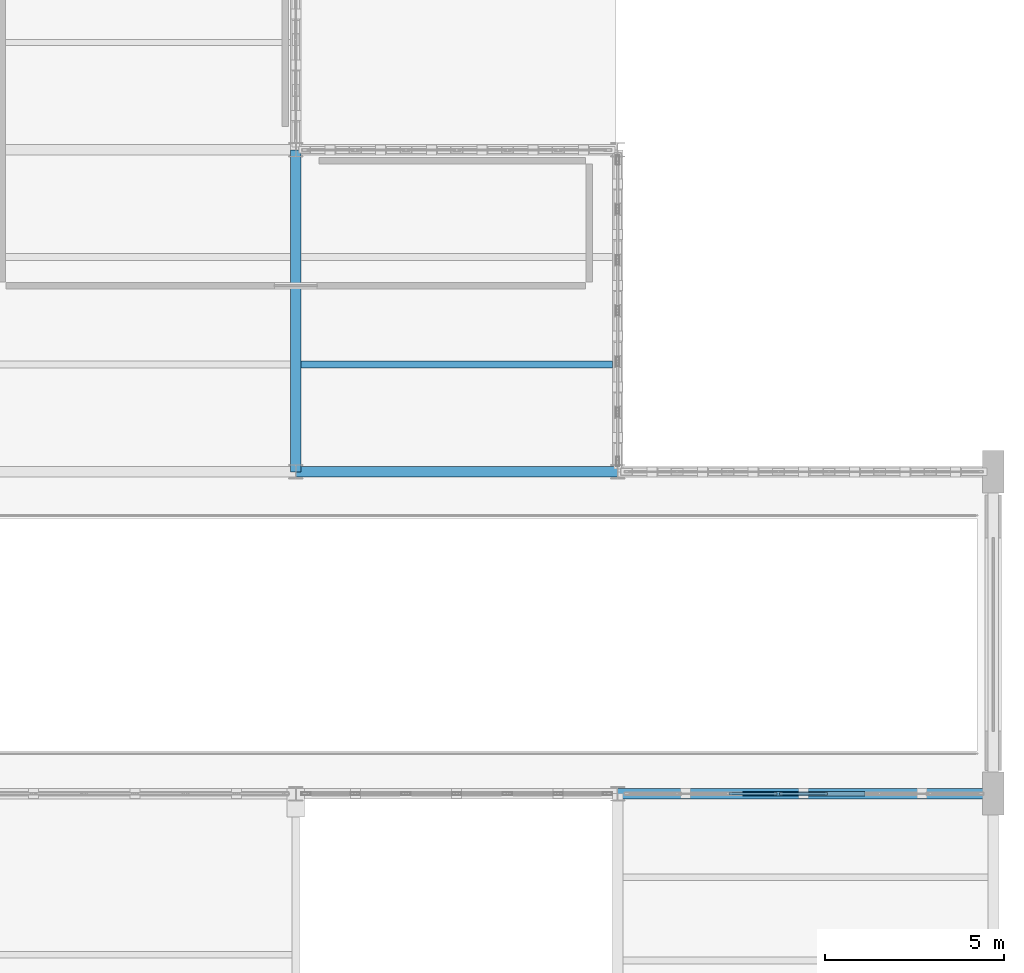
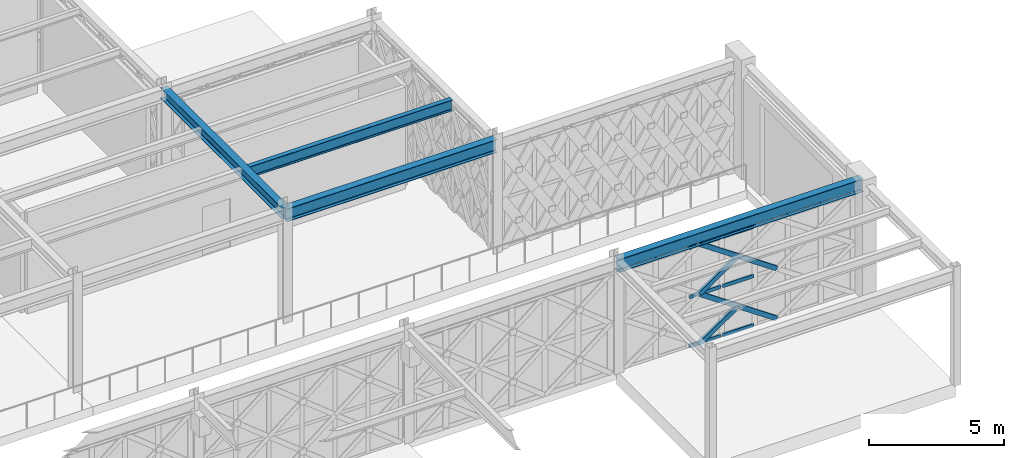
# One storey, part 92 of 140: 10 members, 4 beams, 1 element without a shape of its own.
"""IFC4 building model written with IfcOpenShell, lengths in metres."""

from ifc_helpers import new_model, si_unit, direction, frame, origin, origin_2d, place, context, subcontext, project, spatial, hollow_rectangle, i_section, extrude, material, material_profile, profile_set, type_object, element, aggregate, save


model = new_model("IFC4")

# Units and contexts
model_context = context("Model", 3, precision=1e-05, world=origin(), true_north=direction((0.0, 1.0)))
body_context = subcontext(model_context, "Body", "Model", "MODEL_VIEW")
ifc_project = project(units=[si_unit("LENGTHUNIT", "METRE"), si_unit("AREAUNIT", "SQUARE_METRE"), si_unit("VOLUMEUNIT", "CUBIC_METRE"), si_unit("PLANEANGLEUNIT", "RADIAN"), si_unit("MASSUNIT", "GRAM", prefix="KILO")], contexts=[model_context])

# Site, building, storey
site_placement = place(None, origin())
site = spatial("IfcSite", under=ifc_project, at=site_placement, CompositionType="ELEMENT")
building_placement = place(site_placement, origin())
building = spatial("IfcBuilding", under=site, at=building_placement, Name="Haizhuo Lancet Aquarium", CompositionType="ELEMENT")
storey_placement = place(building_placement, origin())
storey = spatial("IfcBuildingStorey", under=building, at=storey_placement, Name="L00", CompositionType="ELEMENT", Elevation=0.0)

# Beams
ifc_material_1 = material(Name="Steel S355", Category="steel")
ifc_material_profile_1 = material_profile(ifc_material_1, i_section(OverallWidth=0.300048828125, OverallDepth=0.488037109375, WebThickness=0.010986328125, FlangeThickness=0.01806640625, FilletRadius=0.02392578125, at=origin_2d()), Name="HM 488x300x11x18")
ifc_profile_set_1 = profile_set([ifc_material_profile_1], Name="Steel S355")
beam_type_1 = type_object("IfcBeamType", Name="BM-ST-HM488", PredefinedType="BEAM", material=ifc_profile_set_1)
beam_1_placement = place(storey_placement, frame((63.0, 18.0, 4.8759765625), z_axis=(0.0, 1.0, 0.0), x_axis=(-1.0, 0.0, 0.0)))
element("IfcBeam", 1, at=beam_1_placement, inside=storey, type_object=beam_type_1, Name="L00 V7 primary girder BM-L00-V7-019", PredefinedType="BEAM", context=body_context, shape_type="SweptSolid", body=[
    extrude(i_section(OverallWidth=0.300048828125, OverallDepth=0.488037109375, WebThickness=0.010986328125, FlangeThickness=0.01806640625, FilletRadius=0.02392578125, at=origin_2d()), origin(), (0.0, 0.0, 1.0), 9.0),
])
ifc_material_profile_2 = material_profile(ifc_material_1, i_section(OverallWidth=0.300048828125, OverallDepth=0.587890625, WebThickness=0.011962890625, FlangeThickness=0.02001953125, FilletRadius=0.02587890625, at=origin_2d()), Name="HM 588x300x12x20")
ifc_profile_set_2 = profile_set([ifc_material_profile_2], Name="Steel S355")
beam_type_2 = type_object("IfcBeamType", Name="BM-ST-HM588", PredefinedType="BEAM", material=ifc_profile_set_2)
beam_2_placement = place(storey_placement, frame((63.0, 18.0, 4.825927734375), z_axis=(1.0, 0.0, 0.0), x_axis=(0.0, 1.0, 0.0)))
element("IfcBeam", 2, at=beam_2_placement, inside=storey, type_object=beam_type_2, Name="L00 V7 primary girder BM-L00-V7-020", PredefinedType="BEAM", context=body_context, shape_type="SweptSolid", body=[
    extrude(i_section(OverallWidth=0.300048828125, OverallDepth=0.587890625, WebThickness=0.011962890625, FlangeThickness=0.02001953125, FilletRadius=0.02587890625, at=origin_2d()), origin(), (0.0, 0.0, 1.0), 9.0),
])
beam_3_placement = place(storey_placement, frame((72.0, 9.0, 4.825927734375), z_axis=(1.0, 0.0, 0.0), x_axis=(0.0, 1.0, 0.0)))
element("IfcBeam", 3, at=beam_3_placement, inside=storey, type_object=beam_type_2, Name="L00 V7 primary girder BM-L00-V7-025", PredefinedType="BEAM", context=body_context, shape_type="SweptSolid", body=[
    extrude(i_section(OverallWidth=0.300048828125, OverallDepth=0.587890625, WebThickness=0.011962890625, FlangeThickness=0.02001953125, FilletRadius=0.02587890625, at=origin_2d()), origin(), (0.0, 0.0, 1.0), 10.5),
])

# Curtain wall, members
ifc_material_2 = material(Name="Aluminium 6063-T6", Category="aluminium")
curtain_wall_type = type_object("IfcCurtainWallType", Name="CWO-9910x4530", PredefinedType="NOTDEFINED", material=ifc_material_2)
curtain_wall_placement = place(storey_placement, origin())
curtain_wall = element("IfcCurtainWall", 4, at=curtain_wall_placement, inside=storey, type_object=curtain_wall_type, Name="L00 curtain wall CW-V7-L00-278", PredefinedType="NOTDEFINED")
ifc_material_profile_3 = material_profile(ifc_material_2, hollow_rectangle(XDim=0.074951171875, YDim=0.159912109375, WallThickness=0.00390625, at=origin_2d()), Name="ALU-T 75x160x4")
ifc_profile_set_3 = profile_set([ifc_material_profile_3], Name="Aluminium 6063-T6")
member_type_1 = type_object("IfcMemberType", Name="CW-TRN-2", PredefinedType="NOTDEFINED", material=ifc_profile_set_3)
member_1_placement = place(storey_placement, frame((77.8701171875, 9.0, 0.037109375), z_axis=(-1.0, 0.0, 0.0), x_axis=(0.0, -1.0, 0.0)))
member_1 = element("IfcMember", 5, at=member_1_placement, type_object=member_type_1, Name="CWO-99x45 transom 4.1", ObjectType="TRANSOM", PredefinedType="USERDEFINED", context=body_context, shape_type="SweptSolid", body=[
    extrude(hollow_rectangle(XDim=0.074951171875, YDim=0.159912109375, WallThickness=0.00390625, at=origin_2d()), origin(), (0.0, 0.0, 1.0), 1.340087890625),
])
member_2_placement = place(storey_placement, frame((77.8701171875, 9.0, 2.26611328125), z_axis=(-1.0, 0.0, 0.0), x_axis=(0.0, -1.0, 0.0)))
member_2 = element("IfcMember", 6, at=member_2_placement, type_object=member_type_1, Name="CWO-99x45 transom 4.2", ObjectType="TRANSOM", PredefinedType="USERDEFINED", context=body_context, shape_type="SweptSolid", body=[
    extrude(hollow_rectangle(XDim=0.074951171875, YDim=0.159912109375, WallThickness=0.00390625, at=origin_2d()), origin(), (0.0, 0.0, 1.0), 1.340087890625),
])
member_3_placement = place(storey_placement, frame((77.8701171875, 9.0, 4.4951171875), z_axis=(-1.0, 0.0, 0.0), x_axis=(0.0, -1.0, 0.0)))
member_3 = element("IfcMember", 7, at=member_3_placement, type_object=member_type_1, Name="CWO-99x45 transom 4.3", ObjectType="TRANSOM", PredefinedType="USERDEFINED", context=body_context, shape_type="SweptSolid", body=[
    extrude(hollow_rectangle(XDim=0.074951171875, YDim=0.159912109375, WallThickness=0.00390625, at=origin_2d()), origin(), (0.0, 0.0, 1.0), 1.340087890625),
])
member_4_placement = place(storey_placement, frame((76.455078125, 9.0, 0.037109375), z_axis=(-1.0, 0.0, 0.0), x_axis=(0.0, -1.0, 0.0)))
member_4 = element("IfcMember", 8, at=member_4_placement, type_object=member_type_1, Name="CWO-99x45 transom 5.1", ObjectType="TRANSOM", PredefinedType="USERDEFINED", context=body_context, shape_type="SweptSolid", body=[
    extrude(hollow_rectangle(XDim=0.074951171875, YDim=0.159912109375, WallThickness=0.00390625, at=origin_2d()), origin(), (0.0, 0.0, 1.0), 1.341064453125),
])
member_5_placement = place(storey_placement, frame((76.455078125, 9.0, 2.26611328125), z_axis=(-1.0, 0.0, 0.0), x_axis=(0.0, -1.0, 0.0)))
member_5 = element("IfcMember", 9, at=member_5_placement, type_object=member_type_1, Name="CWO-99x45 transom 5.2", ObjectType="TRANSOM", PredefinedType="USERDEFINED", context=body_context, shape_type="SweptSolid", body=[
    extrude(hollow_rectangle(XDim=0.074951171875, YDim=0.159912109375, WallThickness=0.00390625, at=origin_2d()), origin(), (0.0, 0.0, 1.0), 1.341064453125),
])
member_6_placement = place(storey_placement, frame((76.455078125, 9.0, 4.4951171875), z_axis=(-1.0, 0.0, 0.0), x_axis=(0.0, -1.0, 0.0)))
member_6 = element("IfcMember", 10, at=member_6_placement, type_object=member_type_1, Name="CWO-99x45 transom 5.3", ObjectType="TRANSOM", PredefinedType="USERDEFINED", context=body_context, shape_type="SweptSolid", body=[
    extrude(hollow_rectangle(XDim=0.074951171875, YDim=0.159912109375, WallThickness=0.00390625, at=origin_2d()), origin(), (0.0, 0.0, 1.0), 1.341064453125),
])
aggregate(curtain_wall, [member_1, member_2, member_3, member_4, member_5, member_6])

# Beam
ifc_material_profile_4 = material_profile(ifc_material_1, i_section(OverallWidth=0.199951171875, OverallDepth=0.5, WebThickness=0.010009765625, FlangeThickness=0.01611328125, FilletRadius=0.02001953125, at=origin_2d()), Name="HN 500x200x10x16")
ifc_profile_set_4 = profile_set([ifc_material_profile_4], Name="Steel S355")
beam_type_3 = type_object("IfcBeamType", Name="JST-ST-HN500", PredefinedType="JOIST", material=ifc_profile_set_4)
beam_4_placement = place(storey_placement, frame((63.14990234375, 21.0, 4.8701171875), z_axis=(1.0, 0.0, 0.0), x_axis=(0.0, 1.0, 0.0)))
element("IfcBeam", 11, at=beam_4_placement, inside=storey, type_object=beam_type_3, Name="L00 V7 secondary floor joist 9", PredefinedType="JOIST", context=body_context, shape_type="SweptSolid", body=[
    extrude(i_section(OverallWidth=0.199951171875, OverallDepth=0.5, WebThickness=0.010009765625, FlangeThickness=0.01611328125, FilletRadius=0.02001953125, at=origin_2d()), origin(), (0.0, 0.0, 1.0), 8.7001953125),
])

# Members
ifc_material_profile_5 = material_profile(ifc_material_1, hollow_rectangle(XDim=0.1201171875, YDim=0.199951171875, WallThickness=0.008056640625, at=origin_2d()), Name="RHS 120x200x8")
ifc_profile_set_5 = profile_set([ifc_material_profile_5], Name="Steel S355")
member_type_2 = type_object("IfcMemberType", Name="MEM-LB-RHS120x200", PredefinedType="BRACE", material=ifc_profile_set_5)
member_7_placement = place(storey_placement, frame((78.85205078125, 9.0, 0.0), z_axis=(-0.824665506991, 0.0, 0.565620722374), x_axis=(0.0, -1.0, 0.0)))
element("IfcMember", 12, at=member_7_placement, inside=storey, type_object=member_type_2, Name="Gothic lancet continuous diagonal brace CW-V7-L00-278 3A", PredefinedType="BRACE", context=body_context, shape_type="SweptSolid", body=[
    extrude(hollow_rectangle(XDim=0.1201171875, YDim=0.199951171875, WallThickness=0.008056640625, at=origin_2d()), origin(), (0.0, 0.0, 1.0), 4.00634765625),
])
member_8_placement = place(storey_placement, frame((75.548095703125, 9.0, 0.0), z_axis=(0.824646010022, 0.0, 0.565649147578), x_axis=(0.0, 1.0, 0.0)))
element("IfcMember", 13, at=member_8_placement, inside=storey, type_object=member_type_2, Name="Gothic lancet split diagonal brace CW-V7-L00-278 3B1", PredefinedType="BRACE", context=body_context, shape_type="SweptSolid", body=[
    extrude(hollow_rectangle(XDim=0.1201171875, YDim=0.199951171875, WallThickness=0.008056640625, at=origin_2d()), origin(), (0.0, 0.0, 1.0), 2.003173828125),
])
member_9_placement = place(storey_placement, frame((78.85205078125, 9.0, 2.26611328125), z_axis=(-0.82469393104, 0.0, 0.565579278356), x_axis=(0.0, -1.0, 0.0)))
element("IfcMember", 14, at=member_9_placement, inside=storey, type_object=member_type_2, Name="Gothic lancet continuous diagonal brace CW-V7-L00-278 4A", PredefinedType="BRACE", context=body_context, shape_type="SweptSolid", body=[
    extrude(hollow_rectangle(XDim=0.1201171875, YDim=0.199951171875, WallThickness=0.008056640625, at=origin_2d()), origin(), (0.0, 0.0, 1.0), 4.00634765625),
])
member_10_placement = place(storey_placement, frame((75.548095703125, 9.0, 2.26611328125), z_axis=(0.824702862367, 0.0, 0.565566255008), x_axis=(0.0, 1.0, 0.0)))
element("IfcMember", 15, at=member_10_placement, inside=storey, type_object=member_type_2, Name="Gothic lancet split diagonal brace CW-V7-L00-278 4B1", PredefinedType="BRACE", context=body_context, shape_type="SweptSolid", body=[
    extrude(hollow_rectangle(XDim=0.1201171875, YDim=0.199951171875, WallThickness=0.008056640625, at=origin_2d()), origin(), (0.0, 0.0, 1.0), 2.0029296875),
])

save(model, "model.ifc")
